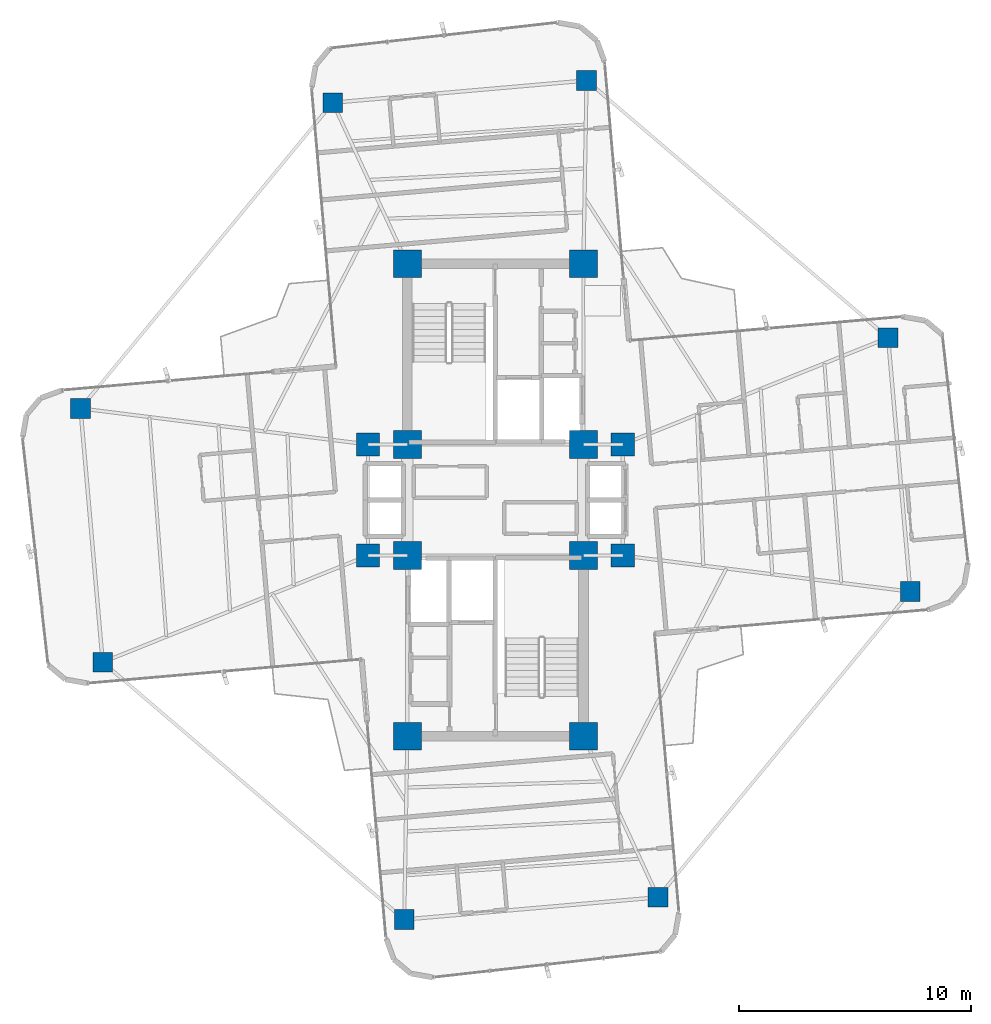
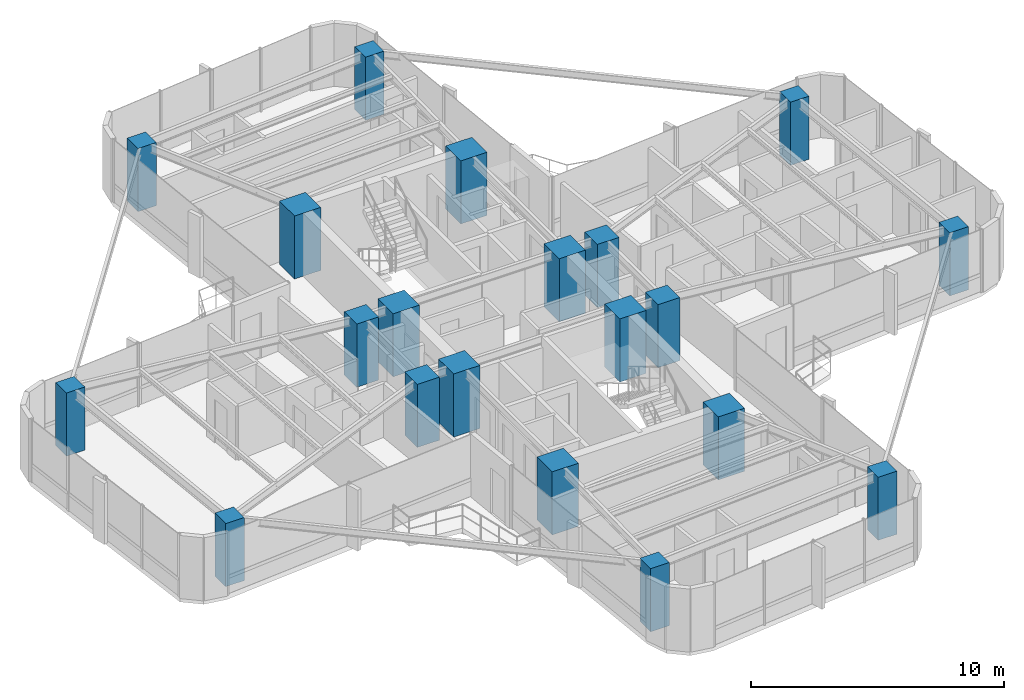
# One storey, part 1 of 24: 20 columns.
"""IFC4 building model written with IfcOpenShell, lengths in metres."""

import ifcopenshell
import ifcopenshell.guid

model = None  # the IFC model being written
_history = None  # IfcOwnerHistory: only IFC2X3 demands one
_inside = {}  # id of a spatial element -> (the spatial element, [elements in it])
_under = {}  # id of a project, library or spatial element -> (it, [spatial elements below it])
_declared = {}  # id of a project -> (the project, [libraries it declares])
_typed = {}  # id of a type object -> (the type object, [elements of that type])
_made_of = {}  # id of a material, layer set ... -> (it, [elements and type objects made of it])


def new_model(schema):
    """Start an empty IFC model of exactly this schema.

    Asked for "IFC4X3", IfcOpenShell would pick the latest addendum, in which some entities
    have other attributes; the version numbers below select the first issue.
    IFC2X3 requires an IfcOwnerHistory on every rooted entity: one is made here for all.
    """
    global model, _history
    if schema == "IFC4X3":
        model = ifcopenshell.file(schema_version=(4, 3, 0, 0))
    else:
        model = ifcopenshell.file(schema=schema)
    _inside.clear()
    _under.clear()
    _declared.clear()
    _typed.clear()
    _made_of.clear()
    _history = None
    if model.schema == "IFC2X3":
        org = make("IfcOrganization", Name="unknown")
        user = make(
            "IfcPersonAndOrganization",
            ThePerson=make("IfcPerson", FamilyName="unknown"),
            TheOrganization=org,
        )
        app = make(
            "IfcApplication",
            ApplicationDeveloper=org,
            Version="unknown",
            ApplicationFullName="unknown",
            ApplicationIdentifier="unknown",
        )
        _history = make(
            "IfcOwnerHistory",
            OwningUser=user,
            OwningApplication=app,
            ChangeAction="ADDED",
            CreationDate=0,
        )
    return model


def make(cls, **values):
    """One entity of the class cls with the attributes given. An attribute that is None is left unset."""
    return model.create_entity(
        cls, **{name: value for name, value in values.items() if value is not None}
    )


def rooted(cls, **values):
    """An entity with a GlobalId (a new one), such as an element, a storey or a relation."""
    return make(cls, GlobalId=ifcopenshell.guid.new(), OwnerHistory=_history, **values)


def si_unit(unit_type, name, prefix=None):
    """IfcSIUnit, for example si_unit("LENGTHUNIT", "METRE", prefix="MILLI")."""
    return make("IfcSIUnit", UnitType=unit_type, Prefix=prefix, Name=name)


def assignment(units):
    """IfcUnitAssignment: the units of a project."""
    return None if units is None else make("IfcUnitAssignment", Units=units)


def point(xyz):
    """IfcCartesianPoint."""
    return None if xyz is None else make("IfcCartesianPoint", Coordinates=xyz)


def direction(xyz):
    """IfcDirection."""
    return None if xyz is None else make("IfcDirection", DirectionRatios=xyz)


def frame(location, z_axis=None, x_axis=None):
    """IfcAxis2Placement3D, a coordinate frame: its origin and axes. An axis left out is left unset."""
    return make(
        "IfcAxis2Placement3D",
        Location=point(location),
        Axis=direction(z_axis),
        RefDirection=direction(x_axis),
    )


def frame_2d(location, x_axis=None):
    """IfcAxis2Placement2D, a coordinate frame in the plane: its origin and x axis."""
    return make(
        "IfcAxis2Placement2D", Location=point(location), RefDirection=direction(x_axis)
    )


def origin():
    """The frame at (0, 0, 0) with its axes left unset."""
    return frame((0.0, 0.0, 0.0))


def origin_2d():
    """The frame at (0, 0) in the plane with its x axis left unset."""
    return frame_2d((0.0, 0.0))


def place(relative_to, where):
    """IfcLocalPlacement: puts the frame where relative to a parent placement (None: the world)."""
    return make(
        "IfcLocalPlacement", PlacementRelTo=relative_to, RelativePlacement=where
    )


def context(
    kind, dimensions, precision=None, world=None, true_north=None, identifier=None
):
    """IfcGeometricRepresentationContext, for example the 3D "Model" context."""
    return make(
        "IfcGeometricRepresentationContext",
        ContextIdentifier=identifier,
        ContextType=kind,
        CoordinateSpaceDimension=dimensions,
        Precision=precision,
        WorldCoordinateSystem=world,
        TrueNorth=true_north,
    )


def subcontext(parent, identifier, kind, view, scale=None):
    """IfcGeometricRepresentationSubContext, for example "Body" below "Model"."""
    return make(
        "IfcGeometricRepresentationSubContext",
        ContextIdentifier=identifier,
        ContextType=kind,
        ParentContext=parent,
        TargetScale=scale,
        TargetView=view,
    )


def project(units=None, contexts=None):
    """IfcProject with its units and contexts."""
    return rooted(
        "IfcProject",
        Name="project",
        RepresentationContexts=contexts,
        UnitsInContext=assignment(units),
    )


def spatial(cls, under=None, at=None, **own):
    """A site, building, storey or space (cls), placed at a placement, below another one or the project."""
    s = rooted(cls, ObjectPlacement=at, **own)
    if under is not None:
        _under.setdefault(under.id(), (under, []))[1].append(s)
    return s


def profile(cls, at=None, kind="AREA", **sizes):
    """A parametric profile (cls). Its sizes go by their IFC names, for example OverallWidth=200.0."""
    return make(cls, ProfileType=kind, Position=at, **sizes)


def rectangle(**sizes):
    """IfcRectangleProfileDef."""
    return profile("IfcRectangleProfileDef", **sizes)


def extrude(swept, where, along, depth):
    """IfcExtrudedAreaSolid: the profile swept, set in the frame where, extruded along a direction by depth."""
    return make(
        "IfcExtrudedAreaSolid",
        SweptArea=swept,
        Position=where,
        ExtrudedDirection=direction(along),
        Depth=depth,
    )


def shape(context_of_items, identifier, shape_type, items):
    """IfcShapeRepresentation: the items that make up one representation, for example the "Body"."""
    return make(
        "IfcShapeRepresentation",
        ContextOfItems=context_of_items,
        RepresentationIdentifier=identifier,
        RepresentationType=shape_type,
        Items=items,
    )


def source(mapping_origin, context_of_items, identifier, shape_type, items):
    """IfcRepresentationMap: a shape defined once, which mapped items show again and again."""
    return make(
        "IfcRepresentationMap",
        MappingOrigin=mapping_origin,
        MappedRepresentation=shape(context_of_items, identifier, shape_type, items),
    )


def transform(
    local_origin,
    x_axis=None,
    y_axis=None,
    z_axis=None,
    scale=None,
    scale2=None,
    scale3=None,
    uniform=True,
):
    """IfcCartesianTransformationOperator3D, or its non-uniform kind. x_axis, y_axis, z_axis: its Axis1, 2, 3."""
    if uniform:
        return make(
            "IfcCartesianTransformationOperator3D",
            Axis1=direction(x_axis),
            Axis2=direction(y_axis),
            LocalOrigin=point(local_origin),
            Scale=scale,
            Axis3=direction(z_axis),
        )
    return make(
        "IfcCartesianTransformationOperator3DnonUniform",
        Axis1=direction(x_axis),
        Axis2=direction(y_axis),
        LocalOrigin=point(local_origin),
        Scale=scale,
        Axis3=direction(z_axis),
        Scale2=scale2,
        Scale3=scale3,
    )


def mapped(mapping_source, mapping_target):
    """IfcMappedItem: shows the shape of a source again, moved by a transform."""
    return make(
        "IfcMappedItem", MappingSource=mapping_source, MappingTarget=mapping_target
    )


def material(Name=None, Category=None):
    """IfcMaterial."""
    return make("IfcMaterial", Name=Name, Category=Category)


def material_profile(
    of_material, cross_section, Name=None, Category=None, Priority=None
):
    """IfcMaterialProfile: a cross section and its material."""
    return make(
        "IfcMaterialProfile",
        Name=Name,
        Material=of_material,
        Profile=cross_section,
        Priority=Priority,
        Category=Category,
    )


def profile_set(profiles, Name=None, composite=None):
    """IfcMaterialProfileSet."""
    return make(
        "IfcMaterialProfileSet",
        Name=Name,
        MaterialProfiles=profiles,
        CompositeProfile=composite,
    )


def made_of(thing, what):
    """Note that an element or type object is made of a material, layer set ...; save() writes the relation."""
    if what is not None:
        _made_of.setdefault(what.id(), (what, []))[1].append(thing)
    return thing


def type_object(cls, material=None, **own):
    """A type object (cls), such as IfcWallType, which elements share."""
    return made_of(rooted(cls, **own), material)


def element(
    cls,
    number,
    at=None,
    inside=None,
    cuts=None,
    type_object=None,
    material=None,
    context=None,
    identifier="Body",
    shape_type=None,
    held_by="IfcProductDefinitionShape",
    body=None,
    shapes=None,
    **own,
):
    """One element of the class cls, such as IfcWall. Its Tag is "e" and its number.

    at: its placement. inside: the storey or other place that contains it. cuts: it is an
    opening in that element (IfcRelVoidsElement). A single representation is given by context,
    identifier, shape_type and body (its items); several are given by shapes. held_by: the class
    of the entity that holds the representations. save() writes the other relations.
    """
    e = rooted(cls, Tag="e%d" % number, ObjectPlacement=at, **own)
    if body is not None:
        shapes = [shape(context, identifier, shape_type, body)]
    if shapes is not None:
        e.Representation = make(held_by, Representations=shapes)
    if inside is not None:
        _inside.setdefault(inside.id(), (inside, []))[1].append(e)
    if cuts is not None:
        rooted(
            "IfcRelVoidsElement", RelatingBuildingElement=cuts, RelatedOpeningElement=e
        )
    if type_object is not None:
        _typed.setdefault(type_object.id(), (type_object, []))[1].append(e)
    return made_of(e, material)


def aggregate(whole, parts):
    """IfcRelAggregates: a whole, such as a stair, and the parts it consists of."""
    return rooted("IfcRelAggregates", RelatingObject=whole, RelatedObjects=parts)


def save(model, path):
    """Write the relations noted so far, then the file.

    IfcRelAggregates (storeys below a building ...), IfcRelContainedInSpatialStructure (elements
    in a storey), IfcRelDefinesByType, IfcRelAssociatesMaterial and IfcRelDeclares: one each for
    every whole, place, type object, material and project.
    """
    for whole, parts in _under.values():
        aggregate(whole, parts)
    for where, things in _inside.values():
        rooted(
            "IfcRelContainedInSpatialStructure",
            RelatedElements=things,
            RelatingStructure=where,
        )
    for kind, things in _typed.values():
        rooted("IfcRelDefinesByType", RelatedObjects=things, RelatingType=kind)
    for what, things in _made_of.values():
        rooted("IfcRelAssociatesMaterial", RelatedObjects=things, RelatingMaterial=what)
    for by, libraries in _declared.values():
        rooted("IfcRelDeclares", RelatingContext=by, RelatedDefinitions=libraries)
    model.write(path)


model = new_model("IFC4")

# Units and contexts
model_context = context("Model", 3, precision=1e-05, world=origin(), true_north=direction((0.0, 1.0)))
body_context = subcontext(model_context, "Body", "Model", "MODEL_VIEW")
ifc_project = project(units=[si_unit("LENGTHUNIT", "METRE"), si_unit("AREAUNIT", "SQUARE_METRE"), si_unit("VOLUMEUNIT", "CUBIC_METRE"), si_unit("PLANEANGLEUNIT", "RADIAN"), si_unit("MASSUNIT", "GRAM", prefix="KILO")], contexts=[model_context])

# Site, building, storey
site_placement = place(None, origin())
site = spatial("IfcSite", under=ifc_project, at=site_placement, CompositionType="ELEMENT")
building_placement = place(site_placement, origin())
building = spatial("IfcBuilding", under=site, at=building_placement, Name="Sahyath Konkavel Grand Hotel", CompositionType="ELEMENT")
storey_placement = place(building_placement, frame((0.0, 0.0, 167.35009765625)))
storey = spatial("IfcBuildingStorey", under=building, at=storey_placement, Name="L46", CompositionType="ELEMENT", Elevation=167.35009765625)

# Columns
ifc_material_1 = material(Name="Concrete C50/60", Category="concrete")
ifc_material_profile_1 = material_profile(ifc_material_1, rectangle(XDim=1.199951171875, YDim=1.199951171875, at=origin_2d()), Name="RC 1200x1200")
ifc_profile_set_1 = profile_set([ifc_material_profile_1], Name="Concrete C50/60")
column_type_1 = type_object("IfcColumnType", Name="COL-RC1200", PredefinedType="COLUMN", material=ifc_profile_set_1)
shared_shape_1 = source(origin(), body_context, "Body", "SweptSolid", [
    extrude(rectangle(XDim=1.199951171875, YDim=1.199951171875, at=origin_2d()), origin(), (0.0, 0.0, 1.0), 3.0498046875),
])
for number, where, z_axis, x_axis, name in (
    (1, (-3.800048828125, 2.39990234375, 0.0), (0.0, 0.0, 1.0), (1.0, 0.0, 0.0), "L46 Core Boundary Column NC-SW"),
    (2, (3.800048828125, 2.39990234375, 0.0), (0.0, 0.0, 1.0), (1.0, 0.0, 0.0), "L46 Core Boundary Column NC-SE"),
    (3, (-3.800048828125, 10.199951171875, 0.0), (0.0, 0.0, 1.0), (1.0, 0.0, 0.0), "L46 Core Boundary Column NC-NW"),
    (4, (3.800048828125, 10.199951171875, 0.0), (0.0, 0.0, 1.0), (1.0, 0.0, 0.0), "L46 Core Boundary Column NC-NE"),
    (5, (-3.800048828125, -2.39990234375, 0.0), (0.0, 0.0, 1.0), (1.0, 0.0, 0.0), "L46 Core Boundary Column SC-NW"),
    (6, (3.800048828125, -2.39990234375, 0.0), (0.0, 0.0, 1.0), (1.0, 0.0, 0.0), "L46 Core Boundary Column SC-NE"),
    (7, (-3.800048828125, -10.199951171875, 0.0), (0.0, 0.0, 1.0), (1.0, 0.0, 0.0), "L46 Core Boundary Column SC-SW"),
    (8, (3.800048828125, -10.199951171875, 0.0), (0.0, 0.0, 1.0), (1.0, 0.0, 0.0), "L46 Core Boundary Column SC-SE"),
):
    element("IfcColumn", number, at=place(storey_placement, frame(where, z_axis=z_axis, x_axis=x_axis)), inside=storey, type_object=column_type_1, Name=name, PredefinedType="COLUMN", context=body_context, shape_type="MappedRepresentation", body=[
        mapped(shared_shape_1, transform((0.0, 0.0, 0.0), scale=1.0)),
    ])
ifc_material_profile_2 = material_profile(ifc_material_1, rectangle(XDim=1.0, YDim=1.0, at=origin_2d()), Name="RC 1000x1000")
ifc_profile_set_2 = profile_set([ifc_material_profile_2], Name="Concrete C50/60")
column_type_2 = type_object("IfcColumnType", Name="COL-RC1000", PredefinedType="COLUMN", material=ifc_profile_set_2)
shared_shape_2 = source(origin(), body_context, "Body", "SweptSolid", [
    extrude(rectangle(XDim=1.0, YDim=1.0, at=origin_2d()), origin(), (0.0, 0.0, 1.0), 3.0498046875),
])
for number, where, z_axis, x_axis, name in (
    (9, (5.5, 2.39990234375, 0.0), (0.0, 0.0, 1.0), (1.0, 0.0, 0.0), "L46 Central Spine Column HB-NE"),
    (10, (-5.5, 2.39990234375, 0.0), (0.0, 0.0, 1.0), (1.0, 0.0, 0.0), "L46 Central Spine Column HB-NW"),
    (11, (5.5, -2.39990234375, 0.0), (0.0, 0.0, 1.0), (1.0, 0.0, 0.0), "L46 Central Spine Column HB-SE"),
    (12, (-5.5, -2.39990234375, 0.0), (0.0, 0.0, 1.0), (1.0, 0.0, 0.0), "L46 Central Spine Column HB-SW"),
):
    element("IfcColumn", number, at=place(storey_placement, frame(where, z_axis=z_axis, x_axis=x_axis)), inside=storey, type_object=column_type_2, Name=name, PredefinedType="COLUMN", context=body_context, shape_type="MappedRepresentation", body=[
        mapped(shared_shape_2, transform((0.0, 0.0, 0.0), scale=1.0)),
    ])
ifc_material_2 = material(Name="Concrete C40/50", Category="concrete")
ifc_material_profile_3 = material_profile(ifc_material_2, rectangle(XDim=0.85009765625, YDim=0.85009765625, at=origin_2d()), Name="RC 850x850")
ifc_profile_set_3 = profile_set([ifc_material_profile_3], Name="Concrete C40/50")
column_type_3 = type_object("IfcColumnType", Name="COL-RC850", PredefinedType="COLUMN", material=ifc_profile_set_3)
shared_shape_3 = source(origin(), body_context, "Body", "SweptSolid", [
    extrude(rectangle(XDim=0.85009765625, YDim=0.85009765625, at=origin_2d()), origin(), (0.0, 0.0, 1.0), 3.0498046875),
])
for number, where, z_axis, x_axis, name in (
    (13, (17.912841796875, -3.953857421875, 0.0), (0.0, 0.0, 1.0), (1.0, 0.0, 0.0), "L46 Cruciform Wing Column WC-EA"),
    (14, (16.9541015625, 7.00439453125, 0.0), (0.0, 0.0, 1.0), (1.0, 0.0, 0.0), "L46 Cruciform Wing Column WC-EB"),
    (15, (3.936279296875, 18.112060546875, 0.0), (0.0, 0.0, 1.0), (1.0, 0.0, 0.0), "L46 Cruciform Wing Column WC-NA"),
    (16, (-7.021728515625, 17.1533203125, 0.0), (0.0, 0.0, 1.0), (1.0, 0.0, 0.0), "L46 Cruciform Wing Column WC-NB"),
    (17, (-17.912841796875, 3.953857421875, 0.0), (0.0, 0.0, 1.0), (1.0, 0.0, 0.0), "L46 Cruciform Wing Column WC-WA"),
    (18, (-16.9541015625, -7.00439453125, 0.0), (0.0, 0.0, 1.0), (1.0, 0.0, 0.0), "L46 Cruciform Wing Column WC-WB"),
    (19, (-3.936279296875, -18.112060546875, 0.0), (0.0, 0.0, 1.0), (1.0, 0.0, 0.0), "L46 Cruciform Wing Column WC-SA"),
    (20, (7.021728515625, -17.1533203125, 0.0), (0.0, 0.0, 1.0), (1.0, 0.0, 0.0), "L46 Cruciform Wing Column WC-SB"),
):
    element("IfcColumn", number, at=place(storey_placement, frame(where, z_axis=z_axis, x_axis=x_axis)), inside=storey, type_object=column_type_3, Name=name, PredefinedType="COLUMN", context=body_context, shape_type="MappedRepresentation", body=[
        mapped(shared_shape_3, transform((0.0, 0.0, 0.0), scale=1.0)),
    ])

save(model, "model.ifc")
